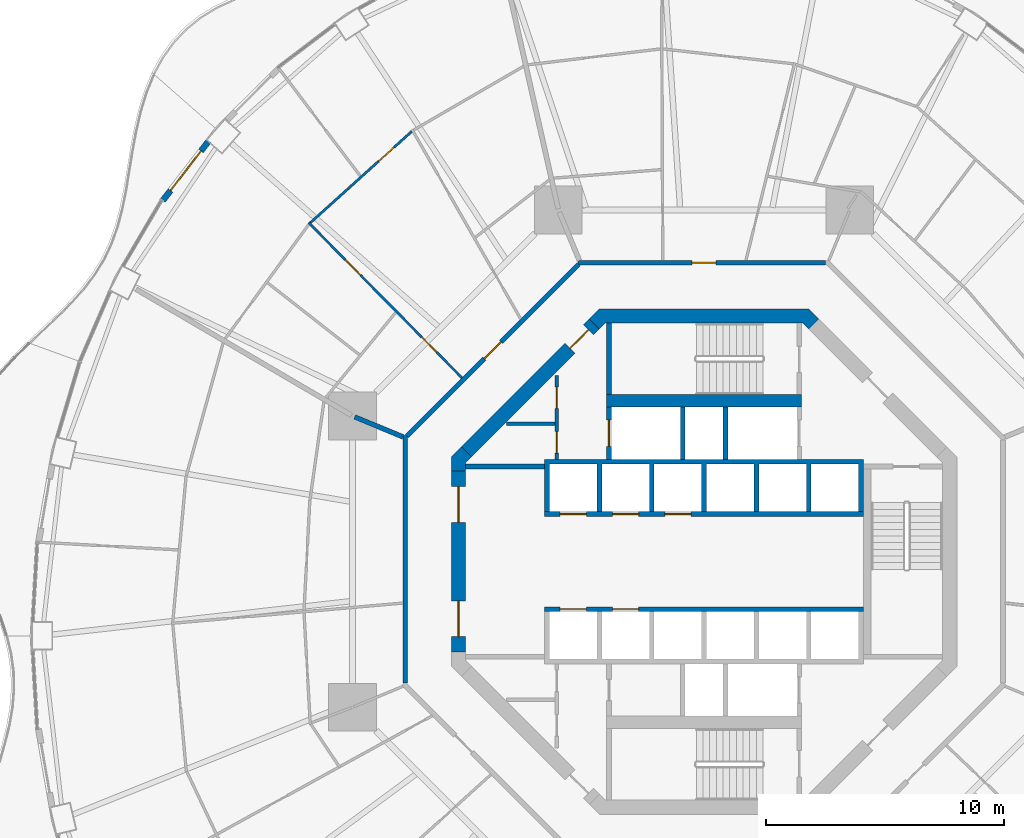
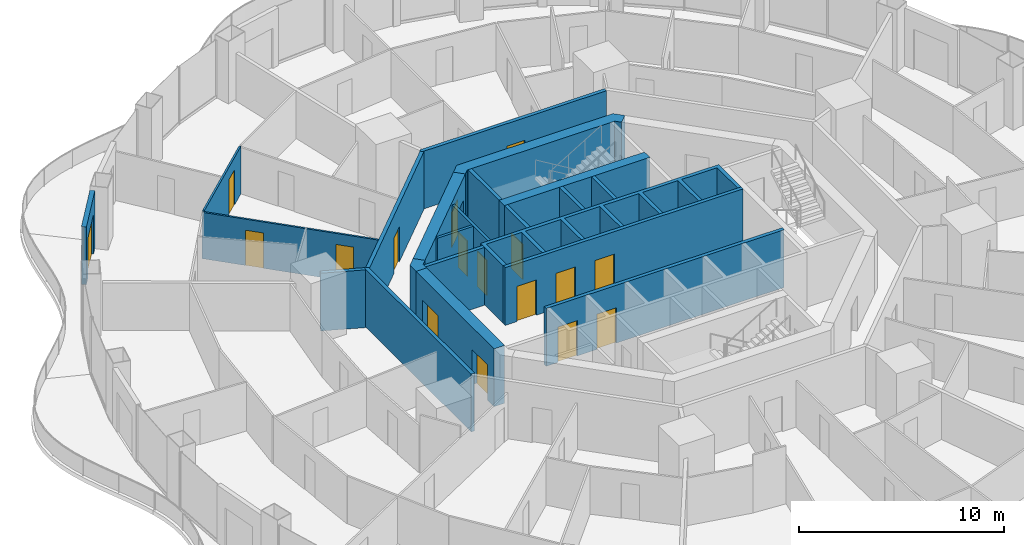
# One storey, part 16 of 21: 22 walls, 17 doors, 17 openings.
"""IFC4 building model written with IfcOpenShell, lengths in metres."""

from ifc_helpers import new_model, si_unit, direction, frame, frame_2d, origin, place, context, subcontext, project, spatial, polyline, rectangle, outline, extrude, material, layer, layer_set, type_object, element, fill, save


model = new_model("IFC4")

# Units and contexts
model_context = context("Model", 3, precision=1e-05, world=origin(), true_north=direction((0.0, 1.0)))
body_context = subcontext(model_context, "Body", "Model", "MODEL_VIEW")
ifc_project = project(units=[si_unit("LENGTHUNIT", "METRE"), si_unit("AREAUNIT", "SQUARE_METRE"), si_unit("VOLUMEUNIT", "CUBIC_METRE"), si_unit("PLANEANGLEUNIT", "RADIAN"), si_unit("MASSUNIT", "GRAM", prefix="KILO")], contexts=[model_context])

# Site, building, storey
site_placement = place(None, origin())
site = spatial("IfcSite", under=ifc_project, at=site_placement, CompositionType="ELEMENT")
building_placement = place(site_placement, origin())
building = spatial("IfcBuilding", under=site, at=building_placement, Name="Nagisa Residences", CompositionType="ELEMENT")
storey_placement = place(building_placement, frame((0.0, 0.0, 134.39990234375)))
storey = spatial("IfcBuildingStorey", under=building, at=storey_placement, Name="L33", CompositionType="ELEMENT", Elevation=134.39990234375)

# Wall
ifc_material_1 = material(Name="Gypsum board on steel studs", Category="steel")
ifc_layer_1 = layer(ifc_material_1, 0.199951171875)
ifc_layer_set_1 = layer_set([ifc_layer_1], Name="Apartment compartment wall EI60 200")
wall_type_1 = type_object("IfcWallType", Name="Apartment compartment wall EI60 200", PredefinedType="PARTITIONING", material=ifc_layer_set_1)
wall_1_placement = place(storey_placement, frame((-12.6572265625, 5.24267578125, 0.0), z_axis=(0.0, 0.0, 1.0), x_axis=(-0.923869415315, 0.382707856524, 0.0)))
element("IfcWall", 1, at=wall_1_placement, inside=storey, type_object=wall_type_1, Name="wall:L33:u04", PredefinedType="PARTITIONING", context=body_context, shape_type="SweptSolid", body=[
    extrude(rectangle(XDim=2.2001953125, YDim=0.199951171875, at=frame_2d((1.10009765625, 0.0))), origin(), (0.0, 0.0, 1.0), 3.440185546875),
])

# Wall, opening, door
ifc_material_2 = material(Name="Gypsum board on steel studs", Category="steel")
ifc_layer_2 = layer(ifc_material_2, 0.199951171875)
ifc_layer_set_2 = layer_set([ifc_layer_2], Name="Apartment entry wall EI60 200")
wall_type_2 = type_object("IfcWallType", Name="Apartment entry wall EI60 200", PredefinedType="PARTITIONING", material=ifc_layer_set_2)
wall_2_placement = place(storey_placement, frame((5.1044921875, 12.564697265625, 0.0), z_axis=(0.0, 0.0, 1.0), x_axis=(-1.0, 0.0, 0.0)))
wall_2 = element("IfcWall", 2, at=wall_2_placement, inside=storey, type_object=wall_type_2, Name="wall:L33:u12", PredefinedType="PARTITIONING", context=body_context, shape_type="SweptSolid", body=[
    extrude(rectangle(XDim=10.408935546875, YDim=0.199951171875, at=frame_2d((5.20458984375, 0.0))), origin(), (0.0, 0.0, 1.0), 3.440185546875),
])
opening_1_placement = place(wall_2_placement, frame((4.6044921875, 0.0, 0.0)))
opening_1 = element("IfcOpeningElement", 3, at=opening_1_placement, cuts=wall_2, Name="Opening L33-U44", PredefinedType="OPENING", context=body_context, shape_type="SweptSolid", body=[
    extrude(rectangle(XDim=1.0, YDim=2.10009765625, at=frame_2d((0.5, 1.050048828125))), frame((0.0, 0.10986328125, 0.0), z_axis=(0.0, -1.0, 0.0), x_axis=(1.0, 0.0, 0.0)), (0.0, 0.0, 1.0), 0.219970703125),
])
ifc_material_3 = material(Name="Timber fire door set", Category="wood")
door_type_1 = type_object("IfcDoorType", Name="Apartment entry door FD30S 1000x2100", OperationType="NOTDEFINED", PredefinedType="DOOR", material=ifc_material_3)
door_1_placement = place(opening_1_placement, frame((1.0, 0.0, 0.0), x_axis=(-1.0, 0.0, 0.0)))
door_1 = element("IfcDoor", 4, at=door_1_placement, inside=storey, type_object=door_type_1, Name="Entry door, Apartment 33E", OperationType="SINGLE_SWING_LEFT", OverallHeight=2.10009765625, OverallWidth=1.0, PredefinedType="DOOR", context=body_context, shape_type="SweptSolid", body=[
    extrude(rectangle(XDim=1.0, YDim=2.10009765625, at=frame_2d((0.5, 1.050048828125))), frame((0.0, 0.02490234375, 0.0), z_axis=(0.0, -1.0, 0.0), x_axis=(1.0, 0.0, 0.0)), (0.0, 0.0, 1.0), 0.050048828125),
])
fill(opening_1, door_1)

wall_3_placement = place(storey_placement, frame((-5.275146484375, 12.494140625, 0.0), z_axis=(0.0, 0.0, 1.0), x_axis=(-0.707106781187, -0.707106781187, 0.0)))
wall_3 = element("IfcWall", 5, at=wall_3_placement, inside=storey, type_object=wall_type_2, Name="wall:L33:u13", PredefinedType="PARTITIONING", context=body_context, shape_type="SweptSolid", body=[
    extrude(rectangle(XDim=10.209228515625, YDim=0.199951171875, at=frame_2d((5.1044921875, 0.0))), origin(), (0.0, 0.0, 1.0), 3.440185546875),
])
opening_2_placement = place(wall_3_placement, frame((4.6044921875, 0.0, 0.0)))
opening_2 = element("IfcOpeningElement", 6, at=opening_2_placement, cuts=wall_3, Name="Opening L33-U01", PredefinedType="OPENING", context=body_context, shape_type="SweptSolid", body=[
    extrude(rectangle(XDim=1.0, YDim=2.10009765625, at=frame_2d((0.5, 1.050048828125))), frame((0.0, 0.10986328125, 0.0), z_axis=(0.0, -1.0, 0.0), x_axis=(1.0, 0.0, 0.0)), (0.0, 0.0, 1.0), 0.219970703125),
])
door_2_placement = place(opening_2_placement, frame((1.0, 0.0, 0.0), x_axis=(-1.0, 0.0, 0.0)))
door_2 = element("IfcDoor", 7, at=door_2_placement, inside=storey, type_object=door_type_1, Name="Entry door, Apartment 33A", OperationType="SINGLE_SWING_RIGHT", OverallHeight=2.10009765625, OverallWidth=1.0, PredefinedType="DOOR", context=body_context, shape_type="SweptSolid", body=[
    extrude(rectangle(XDim=1.0, YDim=2.10009765625, at=frame_2d((0.5, 1.050048828125))), frame((0.0, 0.02490234375, 0.0), z_axis=(0.0, -1.0, 0.0), x_axis=(1.0, 0.0, 0.0)), (0.0, 0.0, 1.0), 0.050048828125),
])
fill(opening_2, door_2)

# Wall
wall_4_placement = place(storey_placement, frame((-12.564697265625, 5.304443359375, 0.0), z_axis=(0.0, 0.0, 1.0), x_axis=(0.0, -1.0, 0.0)))
element("IfcWall", 8, at=wall_4_placement, inside=storey, type_object=wall_type_2, Name="wall:L33:u14", PredefinedType="PARTITIONING", context=body_context, shape_type="SweptSolid", body=[
    extrude(rectangle(XDim=10.408935546875, YDim=0.199951171875, at=frame_2d((5.20458984375, 0.0))), origin(), (0.0, 0.0, 1.0), 3.440185546875),
])

# Wall, opening, door
ifc_material_4 = material(Name="Gypsum board on steel studs", Category="steel")
ifc_layer_3 = layer(ifc_material_4, 0.10009765625)
ifc_layer_set_3 = layer_set([ifc_layer_3], Name="Apartment partition 100")
wall_type_3 = type_object("IfcWallType", Name="Apartment partition 100", PredefinedType="PARTITIONING", material=ifc_layer_set_3)
wall_5_placement = place(storey_placement, frame((-12.2890625, 18.088623046875, 0.0), z_axis=(0.0, 0.0, 1.0), x_axis=(-0.743146066164, -0.669129228435, 0.0)))
wall_5 = element("IfcWall", 9, at=wall_5_placement, inside=storey, type_object=wall_type_3, Name="wall:L33:u45", PredefinedType="PARTITIONING", context=body_context, shape_type="SweptSolid", body=[
    extrude(rectangle(XDim=5.7392578125, YDim=0.10009765625, at=frame_2d((2.86962890625, 0.0))), origin(), (0.0, 0.0, 1.0), 2.828125),
])
opening_3_placement = place(wall_5_placement, frame((0.98486328125, 0.0, 0.0)))
opening_3 = element("IfcOpeningElement", 10, at=opening_3_placement, cuts=wall_5, Name="Opening L33-U06", PredefinedType="OPENING", context=body_context, shape_type="SweptSolid", body=[
    extrude(rectangle(XDim=0.89990234375, YDim=2.10009765625, at=frame_2d((0.449951171875, 1.050048828125))), frame((0.0, 0.06005859375, 0.0), z_axis=(0.0, -1.0, 0.0), x_axis=(1.0, 0.0, 0.0)), (0.0, 0.0, 1.0), 0.1201171875),
])
ifc_material_5 = material(Name="Timber door set", Category="wood")
door_type_2 = type_object("IfcDoorType", Name="Apartment door 900x2100", OperationType="NOTDEFINED", PredefinedType="DOOR", material=ifc_material_5)
door_3_placement = place(opening_3_placement, frame((0.89990234375, 0.0, 0.0), x_axis=(-1.0, 0.0, 0.0)))
door_3 = element("IfcDoor", 11, at=door_3_placement, inside=storey, type_object=door_type_2, Name="Door to family room, Apartment 33A", OperationType="SINGLE_SWING_LEFT", OverallHeight=2.10009765625, OverallWidth=0.89990234375, PredefinedType="DOOR", context=body_context, shape_type="SweptSolid", body=[
    extrude(rectangle(XDim=0.89990234375, YDim=2.10009765625, at=frame_2d((0.449951171875, 1.050048828125))), frame((0.0, 0.02490234375, 0.0), z_axis=(0.0, -1.0, 0.0), x_axis=(1.0, 0.0, 0.0)), (0.0, 0.0, 1.0), 0.050048828125),
])
fill(opening_3, door_3)

# Wall, openings, doors
wall_6_placement = place(storey_placement, frame((-10.181640625, 7.72900390625, 0.0), z_axis=(0.0, 0.0, 1.0), x_axis=(-0.702927211734, 0.711261790766, 0.0)))
wall_6 = element("IfcWall", 12, at=wall_6_placement, inside=storey, type_object=wall_type_3, Name="wall:L33:u47", PredefinedType="PARTITIONING", context=body_context, shape_type="SweptSolid", body=[
    extrude(rectangle(XDim=9.16845703125, YDim=0.10009765625, at=frame_2d((4.584228515625, 0.0))), origin(), (0.0, 0.0, 1.0), 2.756103515625),
])
opening_4_placement = place(wall_6_placement, frame((1.50732421875, 0.0, 0.0)))
opening_4 = element("IfcOpeningElement", 13, at=opening_4_placement, cuts=wall_6, Name="Opening L33-U03", PredefinedType="OPENING", context=body_context, shape_type="SweptSolid", body=[
    extrude(rectangle(XDim=0.89990234375, YDim=2.10009765625, at=frame_2d((0.449951171875, 1.050048828125))), frame((0.0, 0.06005859375, 0.0), z_axis=(0.0, -1.0, 0.0), x_axis=(1.0, 0.0, 0.0)), (0.0, 0.0, 1.0), 0.1201171875),
])
opening_5_placement = place(wall_6_placement, frame((6.066650390625, 0.0, 0.0)))
opening_5 = element("IfcOpeningElement", 14, at=opening_5_placement, cuts=wall_6, Name="Opening L33-U05", PredefinedType="OPENING", context=body_context, shape_type="SweptSolid", body=[
    extrude(rectangle(XDim=0.89990234375, YDim=2.10009765625, at=frame_2d((0.449951171875, 1.050048828125))), frame((0.0, 0.06005859375, 0.0), z_axis=(0.0, -1.0, 0.0), x_axis=(1.0, 0.0, 0.0)), (0.0, 0.0, 1.0), 0.1201171875),
])
door_4_placement = place(opening_4_placement, origin())
door_4 = element("IfcDoor", 15, at=door_4_placement, inside=storey, type_object=door_type_2, Name="Door to family bathroom, Apartment 33A", OperationType="SINGLE_SWING_LEFT", OverallHeight=2.10009765625, OverallWidth=0.89990234375, PredefinedType="DOOR", context=body_context, shape_type="SweptSolid", body=[
    extrude(rectangle(XDim=0.89990234375, YDim=2.10009765625, at=frame_2d((0.449951171875, 1.050048828125))), frame((0.0, 0.02490234375, 0.0), z_axis=(0.0, -1.0, 0.0), x_axis=(1.0, 0.0, 0.0)), (0.0, 0.0, 1.0), 0.050048828125),
])
fill(opening_4, door_4)
door_5_placement = place(opening_5_placement, origin())
door_5 = element("IfcDoor", 16, at=door_5_placement, inside=storey, type_object=door_type_2, Name="Door to family bathroom, Apartment 33A", OperationType="SINGLE_SWING_LEFT", OverallHeight=2.10009765625, OverallWidth=0.89990234375, PredefinedType="DOOR", context=body_context, shape_type="SweptSolid", body=[
    extrude(rectangle(XDim=0.89990234375, YDim=2.10009765625, at=frame_2d((0.449951171875, 1.050048828125))), frame((0.0, 0.02490234375, 0.0), z_axis=(0.0, -1.0, 0.0), x_axis=(1.0, 0.0, 0.0)), (0.0, 0.0, 1.0), 0.050048828125),
])
fill(opening_5, door_5)

# Wall, opening, door
ifc_material_6 = material(Name="Precast concrete C40/50", Category="concrete")
ifc_layer_4 = layer(ifc_material_6, 0.25)
ifc_layer_set_4 = layer_set([ifc_layer_4], Name="BALCONY DOOR WALL 250")
wall_type_4 = type_object("IfcWallType", Name="BALCONY DOOR WALL 250", PredefinedType="SOLIDWALL", material=ifc_layer_set_4)
wall_7_placement = place(storey_placement, frame((-22.752685546875, 15.1875, 0.0), z_axis=(0.0, 0.0, 1.0), x_axis=(0.610429847179, 0.792070326217, 0.0)))
wall_7 = element("IfcWall", 17, at=wall_7_placement, inside=storey, type_object=wall_type_4, Name="wall:L33:bay18", PredefinedType="SOLIDWALL", context=body_context, shape_type="SweptSolid", body=[
    extrude(rectangle(XDim=3.149169921875, YDim=0.25, at=frame_2d((1.57470703125, 0.0))), origin(), (0.0, 0.0, 1.0), 3.440185546875),
])
opening_6_placement = place(wall_7_placement, frame((0.524658203125, 0.0, 0.0)))
opening_6 = element("IfcOpeningElement", 18, at=opening_6_placement, cuts=wall_7, Name="Opening BD-L33-07", PredefinedType="OPENING", context=body_context, shape_type="SweptSolid", body=[
    extrude(rectangle(XDim=2.10009765625, YDim=2.39990234375, at=frame_2d((1.050048828125, 1.199951171875))), frame((0.0, 0.135009765625, 0.0), z_axis=(0.0, -1.0, 0.0), x_axis=(1.0, 0.0, 0.0)), (0.0, 0.0, 1.0), 0.27001953125),
])
ifc_material_7 = material(Name="Aluminium and clear glass", Category="aluminium")
door_type_3 = type_object("IfcDoorType", Name="BALCONY SLIDING DOOR 2100x2400", OperationType="SLIDING_TO_LEFT", PredefinedType="DOOR", material=ifc_material_7)
door_6_placement = place(opening_6_placement, origin())
door_6 = element("IfcDoor", 19, at=door_6_placement, inside=storey, type_object=door_type_3, Name="door:L33:bay18", OperationType="SLIDING_TO_LEFT", OverallHeight=2.39990234375, OverallWidth=2.10009765625, PredefinedType="DOOR", context=body_context, shape_type="SweptSolid", body=[
    extrude(rectangle(XDim=2.10009765625, YDim=2.39990234375, at=frame_2d((1.050048828125, 1.199951171875))), frame((0.0, 0.02490234375, 0.0), z_axis=(0.0, -1.0, 0.0), x_axis=(1.0, 0.0, 0.0)), (0.0, 0.0, 1.0), 0.050048828125),
])
fill(opening_6, door_6)

# Wall, openings, doors
ifc_material_8 = material(Name="Gypsum board on steel studs", Category="steel")
ifc_layer_5 = layer(ifc_material_8, 0.14990234375)
ifc_layer_set_5 = layer_set([ifc_layer_5], Name="Core partition 150")
wall_type_5 = type_object("IfcWallType", Name="Core partition 150", PredefinedType="PARTITIONING", material=ifc_layer_set_5)
wall_8_placement = place(storey_placement, frame((-6.199951171875, 4.300048828125, 0.0), z_axis=(0.0, 0.0, 1.0), x_axis=(0.0, 1.0, 0.0)))
wall_8 = element("IfcWall", 20, at=wall_8_placement, inside=storey, type_object=wall_type_5, Name="wall:L33:NWp", PredefinedType="PARTITIONING", context=body_context, shape_type="SweptSolid", body=[
    extrude(rectangle(XDim=3.52685546875, YDim=0.14990234375, at=frame_2d((1.763427734375, 0.0))), origin(), (0.0, 0.0, 1.0), 3.440185546875),
])
opening_7_placement = place(wall_8_placement, frame((0.262451171875, 0.0, 0.0)))
opening_7 = element("IfcOpeningElement", 21, at=opening_7_placement, cuts=wall_8, Name="Opening L33-C12", PredefinedType="OPENING", context=body_context, shape_type="SweptSolid", body=[
    extrude(rectangle(XDim=0.89990234375, YDim=2.10009765625, at=frame_2d((0.449951171875, 1.050048828125))), frame((0.0, 0.0849609375, 0.0), z_axis=(0.0, -1.0, 0.0), x_axis=(1.0, 0.0, 0.0)), (0.0, 0.0, 1.0), 0.169921875),
])
opening_8_placement = place(wall_8_placement, frame((2.138427734375, 0.0, 0.0)))
opening_8 = element("IfcOpeningElement", 22, at=opening_8_placement, cuts=wall_8, Name="Opening L33-C13", PredefinedType="OPENING", context=body_context, shape_type="SweptSolid", body=[
    extrude(rectangle(XDim=0.89990234375, YDim=2.10009765625, at=frame_2d((0.449951171875, 1.050048828125))), frame((0.0, 0.0849609375, 0.0), z_axis=(0.0, -1.0, 0.0), x_axis=(1.0, 0.0, 0.0)), (0.0, 0.0, 1.0), 0.169921875),
])
ifc_material_9 = material(Name="Steel fire door", Category="steel")
door_type_4 = type_object("IfcDoorType", Name="Fire door EI30 900x2100 single swing", OperationType="NOTDEFINED", PredefinedType="DOOR", material=ifc_material_9)
door_7_placement = place(opening_7_placement, origin())
door_7 = element("IfcDoor", 23, at=door_7_placement, inside=storey, type_object=door_type_4, Name="Electrical room door L33", OperationType="SINGLE_SWING_LEFT", OverallHeight=2.10009765625, OverallWidth=0.89990234375, PredefinedType="DOOR", context=body_context, shape_type="SweptSolid", body=[
    extrude(rectangle(XDim=0.89990234375, YDim=2.10009765625, at=frame_2d((0.449951171875, 1.050048828125))), frame((0.0, 0.02490234375, 0.0), z_axis=(0.0, -1.0, 0.0), x_axis=(1.0, 0.0, 0.0)), (0.0, 0.0, 1.0), 0.050048828125),
])
fill(opening_7, door_7)
door_8_placement = place(opening_8_placement, origin())
door_8 = element("IfcDoor", 24, at=door_8_placement, inside=storey, type_object=door_type_4, Name="Telecom room door L33", OperationType="SINGLE_SWING_LEFT", OverallHeight=2.10009765625, OverallWidth=0.89990234375, PredefinedType="DOOR", context=body_context, shape_type="SweptSolid", body=[
    extrude(rectangle(XDim=0.89990234375, YDim=2.10009765625, at=frame_2d((0.449951171875, 1.050048828125))), frame((0.0, 0.02490234375, 0.0), z_axis=(0.0, -1.0, 0.0), x_axis=(1.0, 0.0, 0.0)), (0.0, 0.0, 1.0), 0.050048828125),
])
fill(opening_8, door_8)

# Walls
wall_9_placement = place(storey_placement, frame((-8.301025390625, 5.800048828125, 0.0), z_axis=(0.0, 0.0, 1.0), x_axis=(1.0, 0.0, 0.0)))
element("IfcWall", 25, at=wall_9_placement, inside=storey, type_object=wall_type_5, Name="wall:L33:NWq", PredefinedType="PARTITIONING", context=body_context, shape_type="SweptSolid", body=[
    extrude(rectangle(XDim=2.026123046875, YDim=0.14990234375, at=frame_2d((1.01318359375, 0.0))), origin(), (0.0, 0.0, 1.0), 3.440185546875),
])
ifc_material_10 = material(Name="Gypsum board on steel studs", Category="steel")
ifc_layer_6 = layer(ifc_material_10, 0.199951171875)
ifc_layer_set_6 = layer_set([ifc_layer_6], Name="Core partition 200")
wall_type_6 = type_object("IfcWallType", Name="Core partition 200", PredefinedType="PARTITIONING", material=ifc_layer_set_6)
wall_10_placement = place(storey_placement, frame((-10.024658203125, 4.0, 0.0), z_axis=(0.0, 0.0, 1.0), x_axis=(1.0, 0.0, 0.0)))
element("IfcWall", 26, at=wall_10_placement, inside=storey, type_object=wall_type_6, Name="wall:L33:PNW", PredefinedType="PARTITIONING", context=body_context, shape_type="SweptSolid", body=[
    extrude(rectangle(XDim=3.32470703125, YDim=0.199951171875, at=frame_2d((1.662353515625, 0.0))), origin(), (0.0, 0.0, 1.0), 3.440185546875),
])

# Wall, opening, door
ifc_material_11 = material(Name="Concrete C60", Category="concrete")
ifc_layer_7 = layer(ifc_material_11, 0.60009765625)
ifc_layer_set_7 = layer_set([ifc_layer_7], Name="Core shear wall 600")
wall_type_7 = type_object("IfcWallType", Name="Core shear wall 600", PredefinedType="SHEAR", material=ifc_layer_set_7)
wall_11_placement = place(storey_placement, frame((-4.613037109375, 9.98828125, 0.0), z_axis=(0.0, 0.0, 1.0), x_axis=(-0.707106781187, -0.707106781187, 0.0)))
wall_11 = element("IfcWall", 27, at=wall_11_placement, inside=storey, type_object=wall_type_7, Name="wall:L33:core:flat3", PredefinedType="SHEAR", context=body_context, shape_type="SweptSolid", body=[
    extrude(rectangle(XDim=7.601806640625, YDim=0.60009765625, at=frame_2d((3.80078125, 0.0))), origin(), (0.0, 0.0, 1.0), 3.440185546875),
])
opening_9_placement = place(wall_11_placement, frame((0.350830078125, 0.0, 0.0)))
opening_9 = element("IfcOpeningElement", 28, at=opening_9_placement, cuts=wall_11, Name="Opening L33-C21", PredefinedType="OPENING", context=body_context, shape_type="SweptSolid", body=[
    extrude(rectangle(XDim=1.10009765625, YDim=2.10009765625, at=frame_2d((0.550048828125, 1.050048828125))), frame((0.0, 0.31005859375, 0.0), z_axis=(0.0, -1.0, 0.0), x_axis=(1.0, 0.0, 0.0)), (0.0, 0.0, 1.0), 0.6201171875),
])
ifc_material_12 = material(Name="Steel fire door", Category="steel")
door_type_5 = type_object("IfcDoorType", Name="Fire door EI60 1100x2100 single swing", OperationType="NOTDEFINED", PredefinedType="DOOR", material=ifc_material_12)
door_9_placement = place(opening_9_placement, origin())
door_9 = element("IfcDoor", 29, at=door_9_placement, inside=storey, type_object=door_type_5, Name="Service lobby door L33", OperationType="SINGLE_SWING_LEFT", OverallHeight=2.10009765625, OverallWidth=1.10009765625, PredefinedType="DOOR", context=body_context, shape_type="SweptSolid", body=[
    extrude(rectangle(XDim=1.10009765625, YDim=2.10009765625, at=frame_2d((0.550048828125, 1.050048828125))), frame((0.0, 0.02490234375, 0.0), z_axis=(0.0, -1.0, 0.0), x_axis=(1.0, 0.0, 0.0)), (0.0, 0.0, 1.0), 0.050048828125),
])
fill(opening_9, door_9)

# Wall, openings, doors
wall_12_placement = place(storey_placement, frame((-10.32470703125, 3.80078125, 0.0), z_axis=(0.0, 0.0, 1.0), x_axis=(0.0, -1.0, 0.0)))
wall_12 = element("IfcWall", 30, at=wall_12_placement, inside=storey, type_object=wall_type_7, Name="wall:L33:core:flat4", PredefinedType="SHEAR", context=body_context, shape_type="SweptSolid", body=[
    extrude(rectangle(XDim=7.6015625, YDim=0.60009765625, at=frame_2d((3.80078125, 0.0))), origin(), (0.0, 0.0, 1.0), 3.440185546875),
])
opening_10_placement = place(wall_12_placement, frame((0.65087890625, 0.0, 0.0)))
opening_10 = element("IfcOpeningElement", 31, at=opening_10_placement, cuts=wall_12, Name="Opening L33-C19", PredefinedType="OPENING", context=body_context, shape_type="SweptSolid", body=[
    extrude(rectangle(XDim=1.5, YDim=2.10009765625, at=frame_2d((0.75, 1.050048828125))), frame((0.0, 0.31005859375, 0.0), z_axis=(0.0, -1.0, 0.0), x_axis=(1.0, 0.0, 0.0)), (0.0, 0.0, 1.0), 0.6201171875),
])
opening_11_placement = place(wall_12_placement, frame((5.450927734375, 0.0, 0.0)))
opening_11 = element("IfcOpeningElement", 32, at=opening_11_placement, cuts=wall_12, Name="Opening L33-C20", PredefinedType="OPENING", context=body_context, shape_type="SweptSolid", body=[
    extrude(rectangle(XDim=1.5, YDim=2.10009765625, at=frame_2d((0.75, 1.050048828125))), frame((0.0, 0.31005859375, 0.0), z_axis=(0.0, -1.0, 0.0), x_axis=(1.0, 0.0, 0.0)), (0.0, 0.0, 1.0), 0.6201171875),
])
ifc_material_13 = material(Name="Steel fire door", Category="steel")
door_type_6 = type_object("IfcDoorType", Name="Fire door EI60 1500x2100 double door single swing", OperationType="DOUBLE_DOOR_SINGLE_SWING", PredefinedType="DOOR", material=ifc_material_13)
door_10_placement = place(opening_10_placement, origin())
door_10 = element("IfcDoor", 33, at=door_10_placement, inside=storey, type_object=door_type_6, Name="Lift lobby door L33 1", OperationType="DOUBLE_DOOR_SINGLE_SWING", OverallHeight=2.10009765625, OverallWidth=1.5, PredefinedType="DOOR", context=body_context, shape_type="SweptSolid", body=[
    extrude(rectangle(XDim=1.5, YDim=2.10009765625, at=frame_2d((0.75, 1.050048828125))), frame((0.0, 0.02490234375, 0.0), z_axis=(0.0, -1.0, 0.0), x_axis=(1.0, 0.0, 0.0)), (0.0, 0.0, 1.0), 0.050048828125),
])
fill(opening_10, door_10)
door_11_placement = place(opening_11_placement, origin())
door_11 = element("IfcDoor", 34, at=door_11_placement, inside=storey, type_object=door_type_6, Name="Lift lobby door L33 2", OperationType="DOUBLE_DOOR_SINGLE_SWING", OverallHeight=2.10009765625, OverallWidth=1.5, PredefinedType="DOOR", context=body_context, shape_type="SweptSolid", body=[
    extrude(rectangle(XDim=1.5, YDim=2.10009765625, at=frame_2d((0.75, 1.050048828125))), frame((0.0, 0.02490234375, 0.0), z_axis=(0.0, -1.0, 0.0), x_axis=(1.0, 0.0, 0.0)), (0.0, 0.0, 1.0), 0.050048828125),
])
fill(opening_11, door_11)

# Walls
wall_13_placement = place(storey_placement, origin())
element("IfcWall", 35, at=wall_13_placement, inside=storey, type_object=wall_type_7, Name="wall:L33:core:pier3", PredefinedType="SHEAR", context=body_context, shape_type="SweptSolid", body=[
    extrude(outline(polyline([(-10.200439453125, 4.8251953125), (-9.776123046875, 4.40087890625), (-10.024658203125, 4.15234375), (-10.024658203125, 3.80078125), (-10.62451171875, 3.80078125), (-10.62451171875, 4.40087890625), (-10.200439453125, 4.8251953125)])), origin(), (0.0, 0.0, 1.0), 3.440185546875),
])
wall_14_placement = place(storey_placement, origin())
element("IfcWall", 36, at=wall_14_placement, inside=storey, type_object=wall_type_7, Name="wall:L33:core:flat2", PredefinedType="SHEAR", context=body_context, shape_type="SweptSolid", body=[
    extrude(outline(polyline([(-4.15234375, 10.024658203125), (-4.40087890625, 9.776123046875), (-4.8251953125, 10.200439453125), (-4.40087890625, 10.62451171875), (4.40087890625, 10.62451171875), (4.8251953125, 10.200439453125), (4.40087890625, 9.776123046875), (4.15234375, 10.024658203125), (-4.15234375, 10.024658203125)])), origin(), (0.0, 0.0, 1.0), 3.440185546875),
])

# Wall, opening, door
ifc_material_14 = material(Name="Concrete C60", Category="concrete")
ifc_layer_8 = layer(ifc_material_14, 0.199951171875)
ifc_layer_set_8 = layer_set([ifc_layer_8], Name="Lift shaft wall 200")
wall_type_8 = type_object("IfcWallType", Name="Lift shaft wall 200", PredefinedType="SOLIDWALL", material=ifc_layer_set_8)
wall_15_placement = place(storey_placement, frame((-4.0, 4.300048828125, 0.0), z_axis=(0.0, 0.0, 1.0), x_axis=(0.0, 1.0, 0.0)))
wall_15 = element("IfcWall", 37, at=wall_15_placement, inside=storey, type_object=wall_type_8, Name="wall:L33:Nb4", PredefinedType="SOLIDWALL", context=body_context, shape_type="SweptSolid", body=[
    extrude(rectangle(XDim=2.199951171875, YDim=0.199951171875, at=frame_2d((1.10009765625, 0.0))), origin(), (0.0, 0.0, 1.0), 3.440185546875),
])
opening_12_placement = place(wall_15_placement, frame((0.550048828125, 0.0, 0.0)))
opening_12 = element("IfcOpeningElement", 38, at=opening_12_placement, cuts=wall_15, Name="Opening L33-C08", PredefinedType="OPENING", context=body_context, shape_type="SweptSolid", body=[
    extrude(rectangle(XDim=1.10009765625, YDim=2.10009765625, at=frame_2d((0.550048828125, 1.050048828125))), frame((0.0, 0.10986328125, 0.0), z_axis=(0.0, -1.0, 0.0), x_axis=(1.0, 0.0, 0.0)), (0.0, 0.0, 1.0), 0.219970703125),
])
ifc_material_15 = material(Name="Stainless steel", Category="steel")
door_type_7 = type_object("IfcDoorType", Name="Lift landing door 1100x2100", OperationType="DOUBLE_DOOR_SLIDING", PredefinedType="DOOR", material=ifc_material_15)
door_12_placement = place(opening_12_placement, origin())
door_12 = element("IfcDoor", 39, at=door_12_placement, inside=storey, type_object=door_type_7, Name="Landing door SV L33", OperationType="DOUBLE_DOOR_SLIDING", OverallHeight=2.10009765625, OverallWidth=1.10009765625, PredefinedType="DOOR", context=body_context, shape_type="SweptSolid", body=[
    extrude(rectangle(XDim=1.10009765625, YDim=2.10009765625, at=frame_2d((0.550048828125, 1.050048828125))), frame((0.0, 0.02490234375, 0.0), z_axis=(0.0, -1.0, 0.0), x_axis=(1.0, 0.0, 0.0)), (0.0, 0.0, 1.0), 0.050048828125),
])
fill(opening_12, door_12)

# Wall, openings, doors
wall_16_placement = place(storey_placement, frame((-6.699951171875, 2.0, 0.0), z_axis=(0.0, 0.0, 1.0), x_axis=(1.0, 0.0, 0.0)))
wall_16 = element("IfcWall", 40, at=wall_16_placement, inside=storey, type_object=wall_type_8, Name="wall:L33:Nfront", PredefinedType="SOLIDWALL", context=body_context, shape_type="SweptSolid", body=[
    extrude(rectangle(XDim=13.39990234375, YDim=0.199951171875, at=frame_2d((6.699951171875, 0.0))), origin(), (0.0, 0.0, 1.0), 3.440185546875),
])
opening_13_placement = place(wall_16_placement, frame((0.64990234375, 0.0, 0.0)))
opening_13 = element("IfcOpeningElement", 41, at=opening_13_placement, cuts=wall_16, Name="Opening L33-C01", PredefinedType="OPENING", context=body_context, shape_type="SweptSolid", body=[
    extrude(rectangle(XDim=1.10009765625, YDim=2.10009765625, at=frame_2d((0.550048828125, 1.050048828125))), frame((0.0, 0.10986328125, 0.0), z_axis=(0.0, -1.0, 0.0), x_axis=(1.0, 0.0, 0.0)), (0.0, 0.0, 1.0), 0.219970703125),
])
opening_14_placement = place(wall_16_placement, frame((2.85009765625, 0.0, 0.0)))
opening_14 = element("IfcOpeningElement", 42, at=opening_14_placement, cuts=wall_16, Name="Opening L33-C02", PredefinedType="OPENING", context=body_context, shape_type="SweptSolid", body=[
    extrude(rectangle(XDim=1.10009765625, YDim=2.10009765625, at=frame_2d((0.550048828125, 1.050048828125))), frame((0.0, 0.10986328125, 0.0), z_axis=(0.0, -1.0, 0.0), x_axis=(1.0, 0.0, 0.0)), (0.0, 0.0, 1.0), 0.219970703125),
])
opening_15_placement = place(wall_16_placement, frame((5.050048828125, 0.0, 0.0)))
opening_15 = element("IfcOpeningElement", 43, at=opening_15_placement, cuts=wall_16, Name="Opening L33-C03", PredefinedType="OPENING", context=body_context, shape_type="SweptSolid", body=[
    extrude(rectangle(XDim=1.10009765625, YDim=2.10009765625, at=frame_2d((0.550048828125, 1.050048828125))), frame((0.0, 0.10986328125, 0.0), z_axis=(0.0, -1.0, 0.0), x_axis=(1.0, 0.0, 0.0)), (0.0, 0.0, 1.0), 0.219970703125),
])
door_13_placement = place(opening_13_placement, origin())
door_13 = element("IfcDoor", 44, at=door_13_placement, inside=storey, type_object=door_type_7, Name="Landing door A1 L33", OperationType="DOUBLE_DOOR_SLIDING", OverallHeight=2.10009765625, OverallWidth=1.10009765625, PredefinedType="DOOR", context=body_context, shape_type="SweptSolid", body=[
    extrude(rectangle(XDim=1.10009765625, YDim=2.10009765625, at=frame_2d((0.550048828125, 1.050048828125))), frame((0.0, 0.02490234375, 0.0), z_axis=(0.0, -1.0, 0.0), x_axis=(1.0, 0.0, 0.0)), (0.0, 0.0, 1.0), 0.050048828125),
])
fill(opening_13, door_13)
door_14_placement = place(opening_14_placement, origin())
door_14 = element("IfcDoor", 45, at=door_14_placement, inside=storey, type_object=door_type_7, Name="Landing door A2 L33", OperationType="DOUBLE_DOOR_SLIDING", OverallHeight=2.10009765625, OverallWidth=1.10009765625, PredefinedType="DOOR", context=body_context, shape_type="SweptSolid", body=[
    extrude(rectangle(XDim=1.10009765625, YDim=2.10009765625, at=frame_2d((0.550048828125, 1.050048828125))), frame((0.0, 0.02490234375, 0.0), z_axis=(0.0, -1.0, 0.0), x_axis=(1.0, 0.0, 0.0)), (0.0, 0.0, 1.0), 0.050048828125),
])
fill(opening_14, door_14)
door_15_placement = place(opening_15_placement, origin())
door_15 = element("IfcDoor", 46, at=door_15_placement, inside=storey, type_object=door_type_7, Name="Landing door A3 L33", OperationType="DOUBLE_DOOR_SLIDING", OverallHeight=2.10009765625, OverallWidth=1.10009765625, PredefinedType="DOOR", context=body_context, shape_type="SweptSolid", body=[
    extrude(rectangle(XDim=1.10009765625, YDim=2.10009765625, at=frame_2d((0.550048828125, 1.050048828125))), frame((0.0, 0.02490234375, 0.0), z_axis=(0.0, -1.0, 0.0), x_axis=(1.0, 0.0, 0.0)), (0.0, 0.0, 1.0), 0.050048828125),
])
fill(opening_15, door_15)

wall_17_placement = place(storey_placement, frame((-6.699951171875, -2.0, 0.0), z_axis=(0.0, 0.0, 1.0), x_axis=(1.0, 0.0, 0.0)))
wall_17 = element("IfcWall", 47, at=wall_17_placement, inside=storey, type_object=wall_type_8, Name="wall:L33:Sfront", PredefinedType="SOLIDWALL", context=body_context, shape_type="SweptSolid", body=[
    extrude(rectangle(XDim=13.39990234375, YDim=0.199951171875, at=frame_2d((6.699951171875, 0.0))), origin(), (0.0, 0.0, 1.0), 3.440185546875),
])
opening_16_placement = place(wall_17_placement, frame((0.64990234375, 0.0, 0.0)))
opening_16 = element("IfcOpeningElement", 48, at=opening_16_placement, cuts=wall_17, Name="Opening L33-C04", PredefinedType="OPENING", context=body_context, shape_type="SweptSolid", body=[
    extrude(rectangle(XDim=1.10009765625, YDim=2.10009765625, at=frame_2d((0.550048828125, 1.050048828125))), frame((0.0, 0.10986328125, 0.0), z_axis=(0.0, -1.0, 0.0), x_axis=(1.0, 0.0, 0.0)), (0.0, 0.0, 1.0), 0.219970703125),
])
opening_17_placement = place(wall_17_placement, frame((2.85009765625, 0.0, 0.0)))
opening_17 = element("IfcOpeningElement", 49, at=opening_17_placement, cuts=wall_17, Name="Opening L33-C05", PredefinedType="OPENING", context=body_context, shape_type="SweptSolid", body=[
    extrude(rectangle(XDim=1.10009765625, YDim=2.10009765625, at=frame_2d((0.550048828125, 1.050048828125))), frame((0.0, 0.10986328125, 0.0), z_axis=(0.0, -1.0, 0.0), x_axis=(1.0, 0.0, 0.0)), (0.0, 0.0, 1.0), 0.219970703125),
])
door_16_placement = place(opening_16_placement, origin())
door_16 = element("IfcDoor", 50, at=door_16_placement, inside=storey, type_object=door_type_7, Name="Landing door A4 L33", OperationType="DOUBLE_DOOR_SLIDING", OverallHeight=2.10009765625, OverallWidth=1.10009765625, PredefinedType="DOOR", context=body_context, shape_type="SweptSolid", body=[
    extrude(rectangle(XDim=1.10009765625, YDim=2.10009765625, at=frame_2d((0.550048828125, 1.050048828125))), frame((0.0, 0.02490234375, 0.0), z_axis=(0.0, -1.0, 0.0), x_axis=(1.0, 0.0, 0.0)), (0.0, 0.0, 1.0), 0.050048828125),
])
fill(opening_16, door_16)
door_17_placement = place(opening_17_placement, origin())
door_17 = element("IfcDoor", 51, at=door_17_placement, inside=storey, type_object=door_type_7, Name="Landing door A5 L33", OperationType="DOUBLE_DOOR_SLIDING", OverallHeight=2.10009765625, OverallWidth=1.10009765625, PredefinedType="DOOR", context=body_context, shape_type="SweptSolid", body=[
    extrude(rectangle(XDim=1.10009765625, YDim=2.10009765625, at=frame_2d((0.550048828125, 1.050048828125))), frame((0.0, 0.02490234375, 0.0), z_axis=(0.0, -1.0, 0.0), x_axis=(1.0, 0.0, 0.0)), (0.0, 0.0, 1.0), 0.050048828125),
])
fill(opening_17, door_17)

# Walls
for number, where, z_axis, x_axis, name in (
    (52, (-0.89990234375, 4.300048828125, 0.0), (0.0, 0.0, 1.0), (0.0, 1.0, 0.0), "wall:L33:Nb1"),
    (53, (0.89990234375, 4.300048828125, 0.0), (0.0, 0.0, 1.0), (0.0, 1.0, 0.0), "wall:L33:Nb2"),
):
    element("IfcWall", number, at=place(storey_placement, frame(where, z_axis=z_axis, x_axis=x_axis)), inside=storey, type_object=wall_type_8, Name=name, PredefinedType="SOLIDWALL", context=body_context, shape_type="SweptSolid", body=[
        extrude(rectangle(XDim=2.199951171875, YDim=0.199951171875, at=frame_2d((1.10009765625, 0.0))), origin(), (0.0, 0.0, 1.0), 3.440185546875),
    ])
wall_18_placement = place(storey_placement, origin())
element("IfcWall", 54, at=wall_18_placement, inside=storey, type_object=wall_type_8, Name="wall:L33:Nback", PredefinedType="SOLIDWALL", context=body_context, shape_type="SweptSolid", body=[
    extrude(outline(polyline([(-6.5, 2.10009765625), (-6.699951171875, 2.10009765625), (-6.699951171875, 4.300048828125), (6.699951171875, 4.300048828125), (6.699951171875, 2.10009765625), (6.5, 2.10009765625), (6.5, 4.10009765625), (4.5, 4.10009765625), (4.5, 2.10009765625), (4.300048828125, 2.10009765625), (4.300048828125, 4.10009765625), (2.300048828125, 4.10009765625), (2.300048828125, 2.10009765625), (2.10009765625, 2.10009765625), (2.10009765625, 4.10009765625), (0.10009765625, 4.10009765625), (0.10009765625, 2.10009765625), (-0.10009765625, 2.10009765625), (-0.10009765625, 4.10009765625), (-2.10009765625, 4.10009765625), (-2.10009765625, 2.10009765625), (-2.300048828125, 2.10009765625), (-2.300048828125, 4.10009765625), (-4.300048828125, 4.10009765625), (-4.300048828125, 2.10009765625), (-4.5, 2.10009765625), (-4.5, 4.10009765625), (-6.5, 4.10009765625), (-6.5, 2.10009765625)])), origin(), (0.0, 0.0, 1.0), 3.440185546875),
])
ifc_material_16 = material(Name="Concrete C60", Category="concrete")
ifc_layer_9 = layer(ifc_material_16, 0.199951171875)
ifc_layer_set_9 = layer_set([ifc_layer_9], Name="Stair enclosure wall 200")
wall_type_9 = type_object("IfcWallType", Name="Stair enclosure wall 200", PredefinedType="SOLIDWALL", material=ifc_layer_set_9)
wall_19_placement = place(storey_placement, origin())
element("IfcWall", 55, at=wall_19_placement, inside=storey, type_object=wall_type_9, Name="wall:L33:SN_w", PredefinedType="SOLIDWALL", context=body_context, shape_type="SweptSolid", body=[
    extrude(outline(polyline([(-3.89990234375, 7.024658203125), (-4.10009765625, 7.024658203125), (-4.10009765625, 10.024658203125), (-3.89990234375, 10.024658203125), (-3.89990234375, 7.024658203125)])), origin(), (0.0, 0.0, 1.0), 3.440185546875),
])
wall_20_placement = place(storey_placement, origin())
element("IfcWall", 56, at=wall_20_placement, inside=storey, type_object=wall_type_9, Name="wall:L33:SN_s", PredefinedType="SOLIDWALL", context=body_context, shape_type="SweptSolid", body=[
    extrude(outline(polyline([(4.10009765625, 6.5), (-4.10009765625, 6.5), (-4.10009765625, 7.024658203125), (4.10009765625, 7.024658203125), (4.10009765625, 6.5)])), origin(), (0.0, 0.0, 1.0), 3.440185546875),
])

save(model, "model.ifc")
